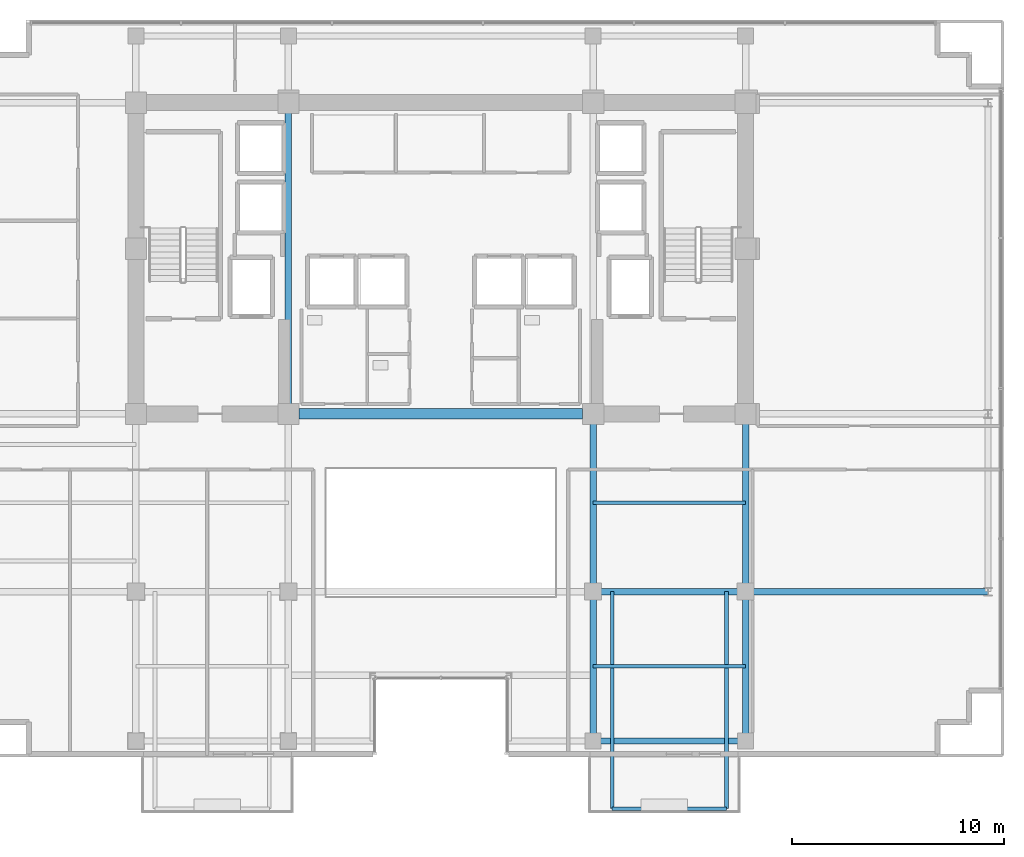
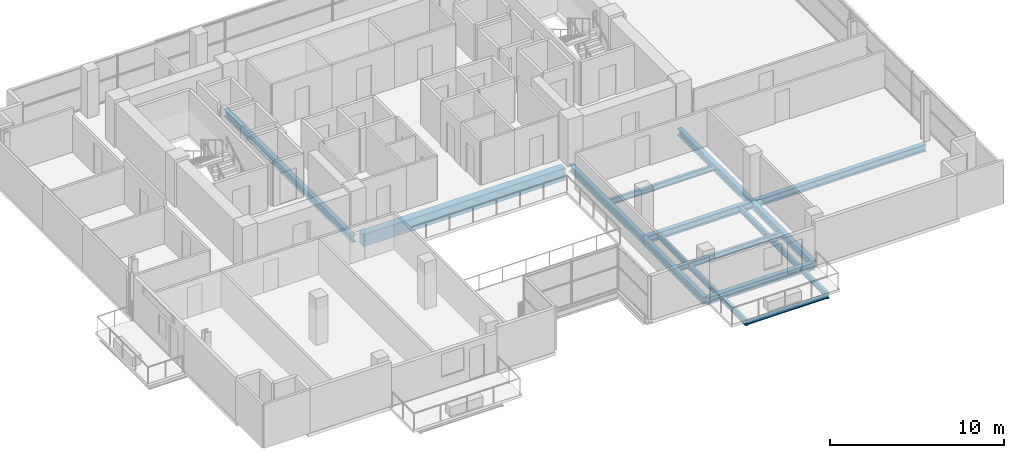
# One storey, part 6 of 22: 14 beams.
"""IFC4 building model written with IfcOpenShell, lengths in metres."""

from ifc_helpers import new_model, si_unit, direction, frame, origin, origin_2d, place, context, subcontext, project, spatial, rectangle, i_section, extrude, material, material_profile, profile_set, type_object, element, save


model = new_model("IFC4")

# Units and contexts
model_context = context("Model", 3, precision=1e-05, world=origin(), true_north=direction((0.0, 1.0)))
body_context = subcontext(model_context, "Body", "Model", "MODEL_VIEW")
ifc_project = project(units=[si_unit("LENGTHUNIT", "METRE"), si_unit("AREAUNIT", "SQUARE_METRE"), si_unit("VOLUMEUNIT", "CUBIC_METRE"), si_unit("PLANEANGLEUNIT", "RADIAN"), si_unit("MASSUNIT", "GRAM", prefix="KILO")], contexts=[model_context])

# Site, building, storey
site_placement = place(None, origin())
site = spatial("IfcSite", under=ifc_project, at=site_placement, CompositionType="ELEMENT")
building_placement = place(site_placement, origin())
building = spatial("IfcBuilding", under=site, at=building_placement, Name="Zarnakvel Exchange Tower", CompositionType="ELEMENT")
storey_placement = place(building_placement, frame((0.0, 0.0, 179.199951171875)))
storey = spatial("IfcBuildingStorey", under=building, at=storey_placement, Name="L50", CompositionType="ELEMENT", Elevation=179.199951171875)

# Beams
ifc_material_1 = material(Name="Steel S355", Category="steel")
ifc_material_profile_1 = material_profile(ifc_material_1, i_section(OverallWidth=0.179931640625, OverallDepth=0.39990234375, WebThickness=0.008544921875, FlangeThickness=0.013427734375, FilletRadius=0.02099609375, at=origin_2d()))
ifc_profile_set_1 = profile_set([ifc_material_profile_1], Name="Steel S355")
beam_type_1 = type_object("IfcBeamType", Name="B-06", PredefinedType="JOIST", material=ifc_profile_set_1)
for number, where, z_axis, x_axis, name in (
    (1, (7.199951171875, -13.125, -0.425048828125), (1.0, 0.0, 0.0), (0.0, 1.0, 0.0), "L50 Composite Floor Secondary Joist"),
    (2, (7.199951171875, -5.39990234375, -0.425048828125), (1.0, 0.0, 0.0), (0.0, 1.0, 0.0), "L50 Composite Floor Secondary Joist"),
):
    element("IfcBeam", number, at=place(storey_placement, frame(where, z_axis=z_axis, x_axis=x_axis)), inside=storey, type_object=beam_type_1, Name=name, PredefinedType="JOIST", context=body_context, shape_type="SweptSolid", body=[
        extrude(i_section(OverallWidth=0.179931640625, OverallDepth=0.39990234375, WebThickness=0.008544921875, FlangeThickness=0.013427734375, FilletRadius=0.02099609375, at=origin_2d()), origin(), (0.0, 0.0, 1.0), 7.199951171875),
    ])
for number, where, z_axis, x_axis, name in (
    (3, (8.10009765625, -9.60009765625, -0.425048828125), (0.0, -1.0, 0.0), (1.0, 0.0, 0.0), "L50 Continuous Back-Spanned Balcony Beam W"),
    (4, (13.5, -9.60009765625, -0.425048828125), (0.0, -1.0, 0.0), (1.0, 0.0, 0.0), "L50 Continuous Back-Spanned Balcony Beam E"),
):
    element("IfcBeam", number, at=place(storey_placement, frame(where, z_axis=z_axis, x_axis=x_axis)), inside=storey, type_object=beam_type_1, Name=name, PredefinedType="JOIST", context=body_context, shape_type="SweptSolid", body=[
        extrude(i_section(OverallWidth=0.179931640625, OverallDepth=0.39990234375, WebThickness=0.008544921875, FlangeThickness=0.013427734375, FilletRadius=0.02099609375, at=origin_2d()), origin(), (0.0, 0.0, 1.0), 10.25),
    ])
ifc_material_profile_2 = material_profile(ifc_material_1, i_section(OverallWidth=0.14990234375, OverallDepth=0.300048828125, WebThickness=0.007080078125, FlangeThickness=0.0107421875, FilletRadius=0.014892578125, at=origin_2d()))
ifc_profile_set_2 = profile_set([ifc_material_profile_2], Name="Steel S355")
beam_type_2 = type_object("IfcBeamType", Name="B-08", PredefinedType="JOIST", material=ifc_profile_set_2)
beam_1_placement = place(storey_placement, frame((8.10009765625, -19.85009765625, -0.375), z_axis=(1.0, 0.0, 0.0), x_axis=(0.0, 1.0, 0.0)))
element("IfcBeam", 5, at=beam_1_placement, inside=storey, type_object=beam_type_2, Name="L50 Balcony Edge Beam", PredefinedType="JOIST", context=body_context, shape_type="SweptSolid", body=[
    extrude(i_section(OverallWidth=0.14990234375, OverallDepth=0.300048828125, WebThickness=0.007080078125, FlangeThickness=0.0107421875, FilletRadius=0.014892578125, at=origin_2d()), origin(), (0.0, 0.0, 1.0), 5.39990234375),
])
ifc_material_2 = material(Name="Concrete C60/75", Category="concrete")
ifc_material_profile_3 = material_profile(ifc_material_2, rectangle(XDim=0.5, YDim=0.85009765625, at=origin_2d()))
ifc_profile_set_3 = profile_set([ifc_material_profile_3], Name="Concrete C60/75")
beam_type_3 = type_object("IfcBeamType", Name="CB-02", PredefinedType="LINTEL", material=ifc_profile_set_3)
beam_2_placement = place(storey_placement, frame((-6.699951171875, -1.199951171875, -0.64990234375), z_axis=(1.0, 0.0, 0.0), x_axis=(0.0, 1.0, 0.0)))
element("IfcBeam", 6, at=beam_2_placement, inside=storey, type_object=beam_type_3, Name="L50 Rear Core South Coupling Beam (CB-02)", PredefinedType="LINTEL", context=body_context, shape_type="SweptSolid", body=[
    extrude(rectangle(XDim=0.5, YDim=0.85009765625, at=origin_2d()), origin(), (0.0, 0.0, 1.0), 13.39990234375),
])
ifc_material_profile_4 = material_profile(ifc_material_1, i_section(OverallWidth=0.300048828125, OverallDepth=0.5, WebThickness=0.014404296875, FlangeThickness=0.028076171875, FilletRadius=0.027099609375, at=origin_2d()))
ifc_profile_set_4 = profile_set([ifc_material_profile_4], Name="Steel S355")
beam_type_4 = type_object("IfcBeamType", Name="G-06", PredefinedType="BEAM", material=ifc_profile_set_4)
beam_3_placement = place(storey_placement, frame((7.199951171875, -9.60009765625, -0.474853515625), z_axis=(1.0, 0.0, 0.0), x_axis=(0.0, 1.0, 0.0)))
element("IfcBeam", 7, at=beam_3_placement, inside=storey, type_object=beam_type_4, Name="L50 Tower E-W Frame Beam", PredefinedType="BEAM", context=body_context, shape_type="SweptSolid", body=[
    extrude(i_section(OverallWidth=0.300048828125, OverallDepth=0.5, WebThickness=0.014404296875, FlangeThickness=0.028076171875, FilletRadius=0.027099609375, at=origin_2d()), origin(), (0.0, 0.0, 1.0), 7.199951171875),
])
beam_4_placement = place(storey_placement, frame((14.39990234375, -9.60009765625, -0.474853515625), z_axis=(1.0, 0.0, 0.0), x_axis=(0.0, 1.0, 0.0)))
element("IfcBeam", 8, at=beam_4_placement, inside=storey, type_object=beam_type_4, Name="L50 Tower E-W Frame Beam", PredefinedType="BEAM", context=body_context, shape_type="SweptSolid", body=[
    extrude(i_section(OverallWidth=0.300048828125, OverallDepth=0.5, WebThickness=0.014404296875, FlangeThickness=0.028076171875, FilletRadius=0.027099609375, at=origin_2d()), origin(), (0.0, 0.0, 1.0), 11.4501953125),
])
beam_5_placement = place(storey_placement, frame((-7.199951171875, -1.199951171875, -0.474853515625), z_axis=(0.0, 1.0, 0.0), x_axis=(-1.0, 0.0, 0.0)))
element("IfcBeam", 9, at=beam_5_placement, inside=storey, type_object=beam_type_4, Name="L50 Tower N-S Frame Beam", PredefinedType="BEAM", context=body_context, shape_type="SweptSolid", body=[
    extrude(i_section(OverallWidth=0.300048828125, OverallDepth=0.5, WebThickness=0.014404296875, FlangeThickness=0.028076171875, FilletRadius=0.027099609375, at=origin_2d()), origin(), (0.0, 0.0, 1.0), 14.699951171875),
])
beam_6_placement = place(storey_placement, frame((7.199951171875, -16.64990234375, -0.474853515625), z_axis=(0.0, 1.0, 0.0), x_axis=(-1.0, 0.0, 0.0)))
element("IfcBeam", 10, at=beam_6_placement, inside=storey, type_object=beam_type_4, Name="L50 Tower N-S Frame Beam", PredefinedType="BEAM", context=body_context, shape_type="SweptSolid", body=[
    extrude(i_section(OverallWidth=0.300048828125, OverallDepth=0.5, WebThickness=0.014404296875, FlangeThickness=0.028076171875, FilletRadius=0.027099609375, at=origin_2d()), origin(), (0.0, 0.0, 1.0), 7.0498046875),
])
beam_7_placement = place(storey_placement, frame((7.199951171875, -9.60009765625, -0.474853515625), z_axis=(0.0, 1.0, 0.0), x_axis=(-1.0, 0.0, 0.0)))
element("IfcBeam", 11, at=beam_7_placement, inside=storey, type_object=beam_type_4, Name="L50 Tower N-S Frame Beam", PredefinedType="BEAM", context=body_context, shape_type="SweptSolid", body=[
    extrude(i_section(OverallWidth=0.300048828125, OverallDepth=0.5, WebThickness=0.014404296875, FlangeThickness=0.028076171875, FilletRadius=0.027099609375, at=origin_2d()), origin(), (0.0, 0.0, 1.0), 8.400146484375),
])
beam_8_placement = place(storey_placement, frame((14.39990234375, -16.64990234375, -0.474853515625), z_axis=(0.0, 1.0, 0.0), x_axis=(-1.0, 0.0, 0.0)))
element("IfcBeam", 12, at=beam_8_placement, inside=storey, type_object=beam_type_4, Name="L50 Tower N-S Frame Beam", PredefinedType="BEAM", context=body_context, shape_type="SweptSolid", body=[
    extrude(i_section(OverallWidth=0.300048828125, OverallDepth=0.5, WebThickness=0.014404296875, FlangeThickness=0.028076171875, FilletRadius=0.027099609375, at=origin_2d()), origin(), (0.0, 0.0, 1.0), 7.0498046875),
])
beam_9_placement = place(storey_placement, frame((14.39990234375, -9.60009765625, -0.474853515625), z_axis=(0.0, 1.0, 0.0), x_axis=(-1.0, 0.0, 0.0)))
element("IfcBeam", 13, at=beam_9_placement, inside=storey, type_object=beam_type_4, Name="L50 Tower N-S Frame Beam", PredefinedType="BEAM", context=body_context, shape_type="SweptSolid", body=[
    extrude(i_section(OverallWidth=0.300048828125, OverallDepth=0.5, WebThickness=0.014404296875, FlangeThickness=0.028076171875, FilletRadius=0.027099609375, at=origin_2d()), origin(), (0.0, 0.0, 1.0), 8.400146484375),
])
ifc_material_profile_5 = material_profile(ifc_material_1, i_section(OverallWidth=0.300048828125, OverallDepth=0.5, WebThickness=0.014404296875, FlangeThickness=0.028076171875, FilletRadius=0.027099609375, at=origin_2d()))
ifc_profile_set_5 = profile_set([ifc_material_profile_5], Name="Steel S355")
beam_type_5 = type_object("IfcBeamType", Name="SP-02", PredefinedType="SPANDREL", material=ifc_profile_set_5)
beam_10_placement = place(storey_placement, frame((7.199951171875, -16.64990234375, -0.474853515625), z_axis=(1.0, 0.0, 0.0), x_axis=(0.0, 1.0, 0.0)))
element("IfcBeam", 14, at=beam_10_placement, inside=storey, type_object=beam_type_5, Name="L50 Tower E-W Frame Beam", PredefinedType="SPANDREL", context=body_context, shape_type="SweptSolid", body=[
    extrude(i_section(OverallWidth=0.300048828125, OverallDepth=0.5, WebThickness=0.014404296875, FlangeThickness=0.028076171875, FilletRadius=0.027099609375, at=origin_2d()), origin(), (0.0, 0.0, 1.0), 7.199951171875),
])

save(model, "model.ifc")
